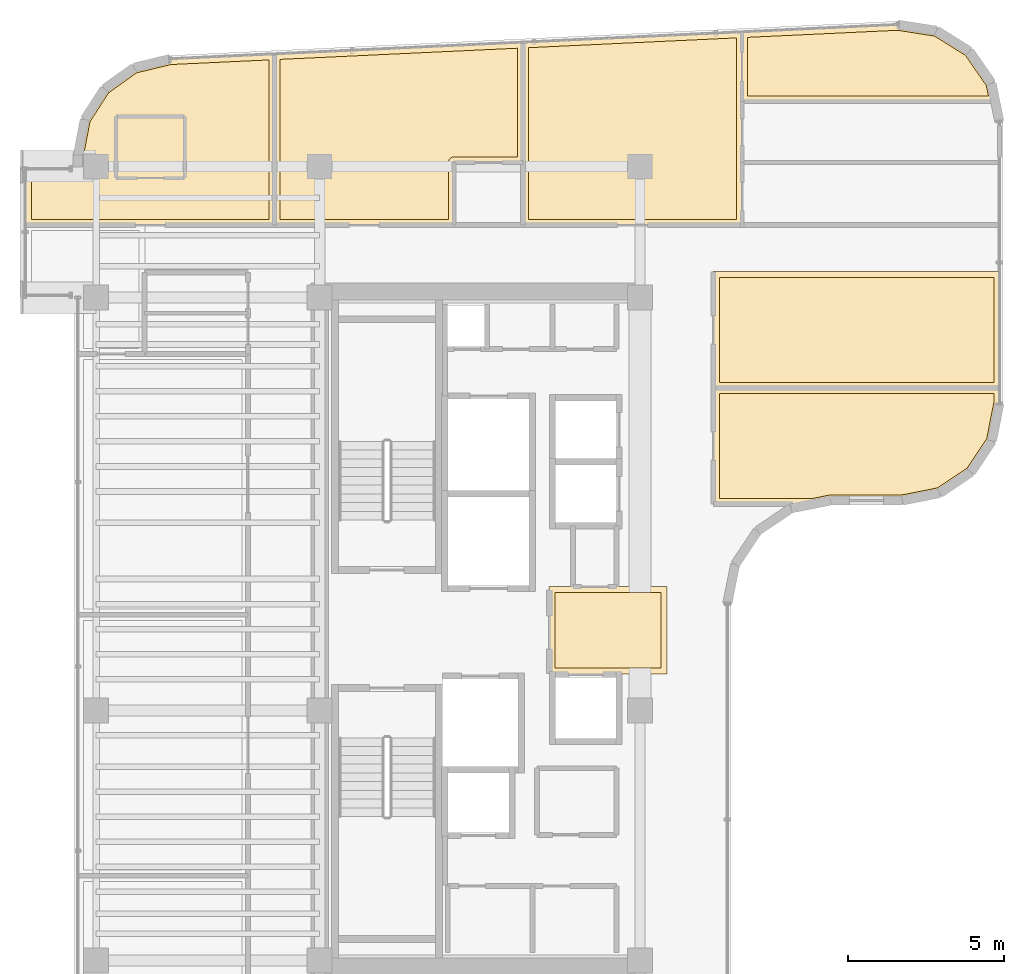
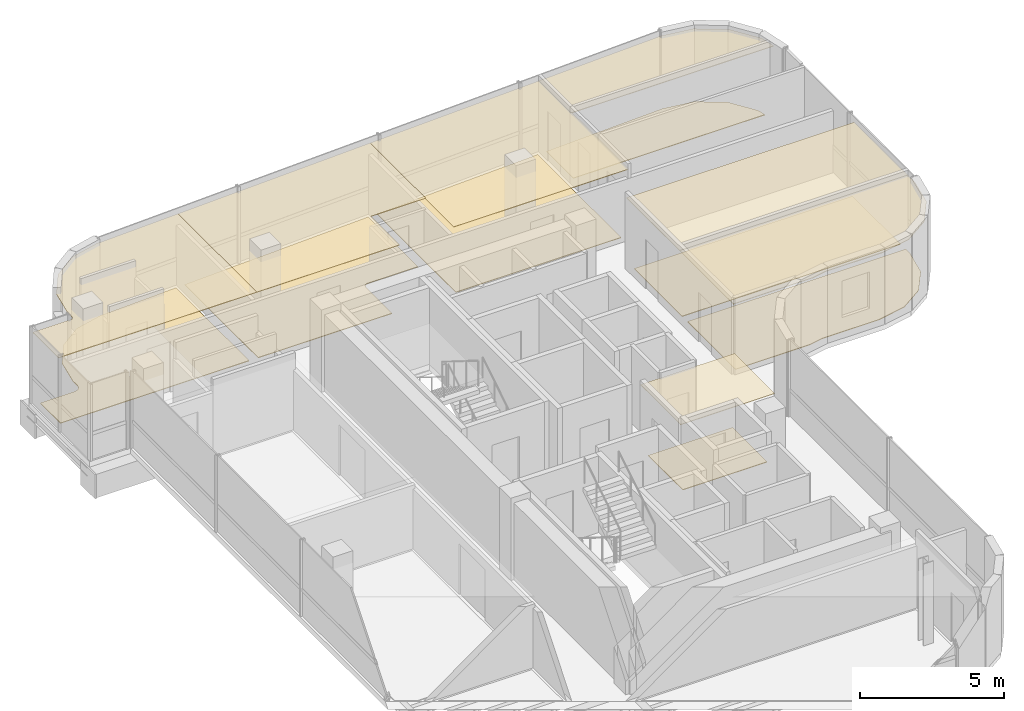
# One storey, part 21 of 21: 14 coverings.
"""IFC4 building model written with IfcOpenShell, lengths in metres."""

from ifc_helpers import new_model, si_unit, direction, frame, origin, place, context, subcontext, project, spatial, polyline, outline, extrude, material, layer, layer_set, type_object, element, save


model = new_model("IFC4")

# Units and contexts
model_context = context("Model", 3, precision=1e-05, world=origin(), true_north=direction((0.0, 1.0)))
body_context = subcontext(model_context, "Body", "Model", "MODEL_VIEW")
ifc_project = project(units=[si_unit("LENGTHUNIT", "METRE"), si_unit("AREAUNIT", "SQUARE_METRE"), si_unit("VOLUMEUNIT", "CUBIC_METRE"), si_unit("PLANEANGLEUNIT", "RADIAN"), si_unit("MASSUNIT", "GRAM", prefix="KILO")], contexts=[model_context])

# Site, building, storey
site_placement = place(None, origin())
site = spatial("IfcSite", under=ifc_project, at=site_placement, CompositionType="ELEMENT")
building_placement = place(site_placement, origin())
building = spatial("IfcBuilding", under=site, at=building_placement, Name="Valdorenza Pilgrim Sanctuary Tower", CompositionType="ELEMENT")
storey_placement = place(building_placement, frame((0.0, 0.0, 251.0)))
storey = spatial("IfcBuildingStorey", under=building, at=storey_placement, Name="L65", CompositionType="ELEMENT", Elevation=251.0)

# Coverings
ifc_material_1 = material(Name="Micro-perforated acoustic mineral ceiling tile", Category="gypsum")
ifc_layer_1 = layer(ifc_material_1, 0.02490234375, Name="Micro-perforated acoustic mineral ceiling tile")
ifc_layer_set_1 = layer_set([ifc_layer_1], Name="Micro-perforated acoustic mineral ceiling tile")
covering_type_1 = type_object("IfcCoveringType", Name="COV-CLG-ACU", PredefinedType="CEILING", material=ifc_layer_set_1)
covering_1_placement = place(storey_placement, frame((0.0, 0.0, 2.9599609375)))
element("IfcCovering", 1, at=covering_1_placement, inside=storey, type_object=covering_type_1, Name="L65 Core A Passenger Lift Lobby Acoustic Ceiling", PredefinedType="CEILING", context=body_context, shape_type="SweptSolid", body=[
    extrude(outline(polyline([(-15.31494140625, 1.35009765625), (-15.31494140625, 1.3515625), (-15.314697265625, 1.352783203125), (-15.314453125, 1.3544921875), (-15.31396484375, 1.355712890625), (-15.313232421875, 1.357177734375), (-15.3125, 1.3583984375), (-15.3115234375, 1.359619140625), (-15.310546875, 1.360595703125), (-15.3095703125, 1.361572265625), (-15.308349609375, 1.362548828125), (-15.30712890625, 1.36328125), (-15.3056640625, 1.364013671875), (-15.304443359375, 1.364501953125), (-15.302978515625, 1.36474609375), (-15.301513671875, 1.364990234375), (-15.300048828125, 1.364990234375), (-11.550048828125, 1.364990234375), (-11.548583984375, 1.364990234375), (-11.547119140625, 1.36474609375), (-11.545654296875, 1.364501953125), (-11.544189453125, 1.364013671875), (-11.54296875, 1.36328125), (-11.541748046875, 1.362548828125), (-11.54052734375, 1.361572265625), (-11.539306640625, 1.360595703125), (-11.538330078125, 1.359619140625), (-11.53759765625, 1.3583984375), (-11.536865234375, 1.357177734375), (-11.5361328125, 1.355712890625), (-11.53564453125, 1.3544921875), (-11.535400390625, 1.352783203125), (-11.53515625, 1.3515625), (-11.534912109375, 1.35009765625), (-11.534912109375, -1.419921875), (-11.53515625, -1.42138671875), (-11.535400390625, -1.4228515625), (-11.53564453125, -1.42431640625), (-11.5361328125, -1.42578125), (-11.536865234375, -1.427001953125), (-11.53759765625, -1.42822265625), (-11.538330078125, -1.429443359375), (-11.539306640625, -1.4306640625), (-11.54052734375, -1.431640625), (-11.541748046875, -1.4326171875), (-11.54296875, -1.43310546875), (-11.544189453125, -1.433837890625), (-11.545654296875, -1.434326171875), (-11.547119140625, -1.434814453125), (-11.548583984375, -1.434814453125), (-11.550048828125, -1.43505859375), (-15.298095703125, -1.43505859375), (-15.299560546875, -1.434814453125), (-15.30078125, -1.434814453125), (-15.302490234375, -1.434326171875), (-15.3037109375, -1.433837890625), (-15.30517578125, -1.43310546875), (-15.306396484375, -1.4326171875), (-15.3076171875, -1.431640625), (-15.30859375, -1.4306640625), (-15.3095703125, -1.429443359375), (-15.310546875, -1.42822265625), (-15.311279296875, -1.427001953125), (-15.31201171875, -1.42578125), (-15.3125, -1.42431640625), (-15.312744140625, -1.4228515625), (-15.31298828125, -1.42138671875), (-15.31298828125, -1.419921875), (-15.31298828125, 1.244384765625), (-15.31298828125, 1.24462890625), (-15.313720703125, 1.24609375), (-15.314208984375, 1.24755859375), (-15.314697265625, 1.2490234375), (-15.31494140625, 1.25048828125), (-15.31494140625, 1.251953125), (-15.31494140625, 1.35009765625)])), origin(), (0.0, 0.0, 1.0), 0.025146484375),
])
covering_2_placement = place(storey_placement, frame((0.0, 0.0, 2.9599609375)))
element("IfcCovering", 2, at=covering_2_placement, inside=storey, type_object=covering_type_1, Name="L65 North Sanctuary Guest Room L65-N1A Acoustic Ceiling", PredefinedType="CEILING", context=body_context, shape_type="SweptSolid", body=[
    extrude(outline(polyline([(-30.50048828125, 14.705078125), (-30.49072265625, 14.70556640625), (-30.4814453125, 14.706787109375), (-30.472412109375, 14.708984375), (-30.463623046875, 14.712158203125), (-30.455078125, 14.71630859375), (-30.447265625, 14.720947265625), (-30.439697265625, 14.7265625), (-30.432861328125, 14.73291015625), (-30.426513671875, 14.73974609375), (-30.4208984375, 14.747314453125), (-30.416259765625, 14.755126953125), (-30.412109375, 14.763671875), (-30.4091796875, 14.7724609375), (-30.40673828125, 14.781494140625), (-30.405517578125, 14.790771484375), (-30.405029296875, 14.80029296875), (-30.405029296875, 15.13671875), (-30.40478515625, 15.13818359375), (-30.40478515625, 15.1396484375), (-30.181396484375, 16.298095703125), (-30.180908203125, 16.299560546875), (-30.180419921875, 16.30078125), (-30.179931640625, 16.30224609375), (-30.17919921875, 16.303466796875), (-29.547119140625, 17.286865234375), (-29.546142578125, 17.2880859375), (-29.545166015625, 17.2890625), (-29.544189453125, 17.2900390625), (-29.54296875, 17.291015625), (-28.59033203125, 17.968994140625), (-28.589111328125, 17.9697265625), (-28.587890625, 17.97021484375), (-28.586669921875, 17.970947265625), (-28.585205078125, 17.97119140625), (-27.438720703125, 18.248779296875), (-27.437255859375, 18.249267578125), (-27.435791015625, 18.249267578125), (-24.095703125, 18.40673828125), (-24.09423828125, 18.40673828125), (-24.0927734375, 18.406494140625), (-24.09130859375, 18.40625), (-24.08984375, 18.40576171875), (-24.08837890625, 18.4052734375), (-24.0869140625, 18.404541015625), (-24.085693359375, 18.403564453125), (-24.084716796875, 18.402587890625), (-24.08349609375, 18.401611328125), (-24.082763671875, 18.400390625), (-24.081787109375, 18.39892578125), (-24.081298828125, 18.397705078125), (-24.080810546875, 18.396240234375), (-24.080322265625, 18.394775390625), (-24.080078125, 18.393310546875), (-24.080078125, 18.391845703125), (-24.080078125, 12.919921875), (-24.080078125, 12.91845703125), (-24.080322265625, 12.9169921875), (-24.08056640625, 12.91552734375), (-24.0810546875, 12.914306640625), (-24.081787109375, 12.912841796875), (-24.08251953125, 12.91162109375), (-24.08349609375, 12.910400390625), (-24.08447265625, 12.909423828125), (-24.08544921875, 12.908447265625), (-24.086669921875, 12.907470703125), (-24.087890625, 12.90673828125), (-24.08935546875, 12.906005859375), (-24.090576171875, 12.905517578125), (-24.092041015625, 12.9052734375), (-24.093505859375, 12.905029296875), (-24.094970703125, 12.905029296875), (-28.248046875, 12.905029296875), (-28.24951171875, 12.905029296875), (-28.250732421875, 12.9052734375), (-28.252197265625, 12.905517578125), (-28.253662109375, 12.906005859375), (-28.2548828125, 12.90673828125), (-28.25537109375, 12.906982421875), (-32.0400390625, 12.906982421875), (-32.04150390625, 12.906982421875), (-32.04296875, 12.9072265625), (-32.04443359375, 12.90771484375), (-32.045654296875, 12.908203125), (-32.047119140625, 12.90869140625), (-32.04833984375, 12.909423828125), (-32.049560546875, 12.910400390625), (-32.050537109375, 12.911376953125), (-32.051513671875, 12.91259765625), (-32.052490234375, 12.913818359375), (-32.05322265625, 12.914794921875), (-32.053955078125, 12.916259765625), (-32.054443359375, 12.91748046875), (-32.0546875, 12.919189453125), (-32.054931640625, 12.92041015625), (-32.054931640625, 12.922119140625), (-32.054931640625, 14.68994140625), (-32.054931640625, 14.69140625), (-32.0546875, 14.69287109375), (-32.054443359375, 14.6943359375), (-32.053955078125, 14.69580078125), (-32.05322265625, 14.697021484375), (-32.052490234375, 14.6982421875), (-32.051513671875, 14.699462890625), (-32.050537109375, 14.70068359375), (-32.049560546875, 14.70166015625), (-32.04833984375, 14.702392578125), (-32.047119140625, 14.703125), (-32.045654296875, 14.703857421875), (-32.04443359375, 14.704345703125), (-32.04296875, 14.70458984375), (-32.04150390625, 14.704833984375), (-32.0400390625, 14.705078125), (-30.50048828125, 14.705078125)])), origin(), (0.0, 0.0, 1.0), 0.025146484375),
])
covering_3_placement = place(storey_placement, frame((0.0, 0.0, 2.9599609375)))
element("IfcCovering", 3, at=covering_3_placement, inside=storey, type_object=covering_type_1, Name="L65 North Sanctuary Guest Room L65-N1B Acoustic Ceiling", PredefinedType="CEILING", context=body_context, shape_type="SweptSolid", body=[
    extrude(outline(polyline([(-24.10791015625, 18.391845703125), (-24.10791015625, 18.392578125), (-24.10791015625, 18.39404296875), (-24.107666015625, 18.3955078125), (-24.107177734375, 18.39697265625), (-24.106689453125, 18.398193359375), (-24.10595703125, 18.399658203125), (-24.10498046875, 18.40087890625), (-24.10400390625, 18.40185546875), (-24.10302734375, 18.403076171875), (-24.101806640625, 18.40380859375), (-24.1005859375, 18.40478515625), (-24.099365234375, 18.405517578125), (-24.097900390625, 18.406005859375), (-24.0966796875, 18.406494140625), (-24.09521484375, 18.40673828125), (-24.09375, 18.40673828125), (-16.15087890625, 18.78125), (-16.150146484375, 18.78125), (-16.14990234375, 18.78125), (-16.1484375, 18.78125), (-16.147216796875, 18.781005859375), (-16.1455078125, 18.78076171875), (-16.144287109375, 18.7802734375), (-16.142822265625, 18.779541015625), (-16.1416015625, 18.77880859375), (-16.140380859375, 18.77783203125), (-16.139404296875, 18.77685546875), (-16.138427734375, 18.77587890625), (-16.137451171875, 18.774658203125), (-16.13671875, 18.7734375), (-16.135986328125, 18.77197265625), (-16.135498046875, 18.770751953125), (-16.13525390625, 18.769287109375), (-16.135009765625, 18.767822265625), (-16.135009765625, 18.766357421875), (-16.135009765625, 14.922119140625), (-16.135009765625, 14.92041015625), (-16.13525390625, 14.919189453125), (-16.135498046875, 14.91748046875), (-16.135986328125, 14.916259765625), (-16.13671875, 14.914794921875), (-16.137451171875, 14.913818359375), (-16.138427734375, 14.91259765625), (-16.139404296875, 14.911376953125), (-16.140380859375, 14.910400390625), (-16.1416015625, 14.909423828125), (-16.142822265625, 14.90869140625), (-16.144287109375, 14.908203125), (-16.1455078125, 14.90771484375), (-16.147216796875, 14.9072265625), (-16.1484375, 14.906982421875), (-16.14990234375, 14.906982421875), (-18.3369140625, 14.906982421875), (-18.3369140625, 12.919921875), (-18.337158203125, 12.91845703125), (-18.33740234375, 12.9169921875), (-18.337646484375, 12.91552734375), (-18.338134765625, 12.914306640625), (-18.3388671875, 12.912841796875), (-18.339599609375, 12.91162109375), (-18.34033203125, 12.910400390625), (-18.34130859375, 12.909423828125), (-18.342529296875, 12.908447265625), (-18.34375, 12.907470703125), (-18.344970703125, 12.90673828125), (-18.34619140625, 12.906005859375), (-18.34765625, 12.905517578125), (-18.34912109375, 12.9052734375), (-18.3505859375, 12.905029296875), (-18.35205078125, 12.905029296875), (-24.093017578125, 12.905029296875), (-24.094482421875, 12.905029296875), (-24.095947265625, 12.9052734375), (-24.097412109375, 12.905517578125), (-24.0986328125, 12.906005859375), (-24.10009765625, 12.90673828125), (-24.101318359375, 12.907470703125), (-24.1025390625, 12.908447265625), (-24.103515625, 12.909423828125), (-24.1044921875, 12.910400390625), (-24.10546875, 12.91162109375), (-24.106201171875, 12.912841796875), (-24.10693359375, 12.914306640625), (-24.107421875, 12.91552734375), (-24.107666015625, 12.9169921875), (-24.10791015625, 12.91845703125), (-24.10791015625, 12.919921875), (-24.10791015625, 18.391845703125), (-24.10791015625, 18.391845703125)])), origin(), (0.0, 0.0, 1.0), 0.025146484375),
])
covering_4_placement = place(storey_placement, frame((0.0, 0.0, 2.9599609375)))
element("IfcCovering", 4, at=covering_4_placement, inside=storey, type_object=covering_type_1, Name="L65 North Sanctuary Apartment L65-N2 Bedroom Acoustic Ceiling", PredefinedType="CEILING", context=body_context, shape_type="SweptSolid", body=[
    extrude(outline(polyline([(-9.154541015625, 19.0966796875), (-9.154541015625, 19.09814453125), (-9.154296875, 19.099609375), (-9.154052734375, 19.10107421875), (-9.153564453125, 19.102294921875), (-9.15283203125, 19.103759765625), (-9.152099609375, 19.10498046875), (-9.1513671875, 19.106201171875), (-9.150390625, 19.107177734375), (-9.1494140625, 19.108154296875), (-9.148193359375, 19.10888671875), (-9.147216796875, 19.10986328125), (-9.145751953125, 19.1103515625), (-9.14453125, 19.111083984375), (-9.14306640625, 19.111328125), (-9.1416015625, 19.111572265625), (-9.140380859375, 19.11181640625), (-4.157470703125, 19.3466796875), (-4.156005859375, 19.3466796875), (-4.154296875, 19.346435546875), (-2.91748046875, 19.153076171875), (-2.916015625, 19.152587890625), (-2.91455078125, 19.15234375), (-2.9130859375, 19.151611328125), (-2.911865234375, 19.15087890625), (-1.860595703125, 18.492431640625), (-1.859619140625, 18.49169921875), (-1.8583984375, 18.490478515625), (-1.857421875, 18.489501953125), (-1.8564453125, 18.48828125), (-1.149169921875, 17.46923828125), (-1.148193359375, 17.468017578125), (-1.147705078125, 17.466552734375), (-1.147216796875, 17.465087890625), (-1.146728515625, 17.463623046875), (-1.025634765625, 16.873046875), (-1.025390625, 16.87158203125), (-1.025390625, 16.8701171875), (-1.025390625, 16.86865234375), (-1.025634765625, 16.8671875), (-1.02587890625, 16.86572265625), (-1.0263671875, 16.8642578125), (-1.027099609375, 16.863037109375), (-1.02783203125, 16.86181640625), (-1.02880859375, 16.860595703125), (-1.02978515625, 16.859375), (-1.03076171875, 16.8583984375), (-1.031982421875, 16.857421875), (-1.033203125, 16.856689453125), (-1.03466796875, 16.856201171875), (-1.035888671875, 16.855712890625), (-1.037353515625, 16.855224609375), (-1.038818359375, 16.85498046875), (-1.040283203125, 16.85498046875), (-9.1396484375, 16.85498046875), (-9.14111328125, 16.85498046875), (-9.142578125, 16.855224609375), (-9.14404296875, 16.855712890625), (-9.145263671875, 16.856201171875), (-9.146728515625, 16.856689453125), (-9.14794921875, 16.857421875), (-9.149169921875, 16.8583984375), (-9.150146484375, 16.859375), (-9.151123046875, 16.860595703125), (-9.152099609375, 16.86181640625), (-9.15283203125, 16.86279296875), (-9.153564453125, 16.8642578125), (-9.154052734375, 16.865478515625), (-9.154296875, 16.8671875), (-9.154541015625, 16.868408203125), (-9.154541015625, 16.8701171875), (-9.154541015625, 19.0966796875)])), origin(), (0.0, 0.0, 1.0), 0.025146484375),
])
covering_5_placement = place(storey_placement, frame((0.0, 0.0, 2.9599609375)))
element("IfcCovering", 5, at=covering_5_placement, inside=storey, type_object=covering_type_1, Name="L65 North Sanctuary Apartment L65-N2 Living Room Acoustic Ceiling", PredefinedType="CEILING", context=body_context, shape_type="SweptSolid", body=[
    extrude(outline(polyline([(-16.1630859375, 14.918212890625), (-16.1630859375, 14.9189453125), (-16.163330078125, 14.92041015625), (-16.1630859375, 14.922119140625), (-16.1630859375, 14.923583984375), (-16.1630859375, 14.923828125), (-16.1630859375, 18.766357421875), (-16.1630859375, 18.766357421875), (-16.1630859375, 18.76708984375), (-16.162841796875, 18.7685546875), (-16.16259765625, 18.77001953125), (-16.162109375, 18.771484375), (-16.16162109375, 18.772705078125), (-16.160888671875, 18.774169921875), (-16.159912109375, 18.775390625), (-16.1591796875, 18.776611328125), (-16.158203125, 18.777587890625), (-16.156982421875, 18.778564453125), (-16.15576171875, 18.779296875), (-16.154296875, 18.780029296875), (-16.153076171875, 18.780517578125), (-16.151611328125, 18.781005859375), (-16.150146484375, 18.78125), (-16.148681640625, 18.781494140625), (-9.142333984375, 19.11181640625), (-9.140869140625, 19.11181640625), (-9.139404296875, 19.111572265625), (-9.1376953125, 19.111083984375), (-9.136474609375, 19.11083984375), (-9.135009765625, 19.110107421875), (-9.133544921875, 19.109375), (-9.13232421875, 19.1083984375), (-9.131103515625, 19.107666015625), (-9.130126953125, 19.1064453125), (-9.12939453125, 19.105224609375), (-9.12841796875, 19.10400390625), (-9.127685546875, 19.1025390625), (-9.127197265625, 19.101318359375), (-9.126953125, 19.099609375), (-9.126708984375, 19.09814453125), (-9.126708984375, 19.0966796875), (-9.126708984375, 16.87548828125), (-9.126220703125, 16.875), (-9.125732421875, 16.87353515625), (-9.125244140625, 16.872314453125), (-9.125, 16.870849609375), (-9.124755859375, 16.869384765625), (-9.12451171875, 16.867919921875), (-9.12451171875, 12.919921875), (-9.124755859375, 12.91845703125), (-9.125, 12.9169921875), (-9.125244140625, 12.91552734375), (-9.125732421875, 12.914306640625), (-9.12646484375, 12.912841796875), (-9.127197265625, 12.91162109375), (-9.1279296875, 12.910400390625), (-9.12890625, 12.909423828125), (-9.130126953125, 12.908447265625), (-9.13134765625, 12.907470703125), (-9.132568359375, 12.90673828125), (-9.1337890625, 12.906005859375), (-9.13525390625, 12.905517578125), (-9.13671875, 12.9052734375), (-9.13818359375, 12.905029296875), (-9.1396484375, 12.905029296875), (-16.14794921875, 12.905029296875), (-16.1494140625, 12.905029296875), (-16.15087890625, 12.9052734375), (-16.15234375, 12.905517578125), (-16.15380859375, 12.906005859375), (-16.155029296875, 12.90673828125), (-16.15625, 12.907470703125), (-16.157470703125, 12.908447265625), (-16.15869140625, 12.909423828125), (-16.15966796875, 12.910400390625), (-16.160400390625, 12.91162109375), (-16.1611328125, 12.912841796875), (-16.161865234375, 12.914306640625), (-16.162353515625, 12.91552734375), (-16.16259765625, 12.9169921875), (-16.162841796875, 12.91845703125), (-16.1630859375, 12.919921875), (-16.1630859375, 14.918212890625)])), origin(), (0.0, 0.0, 1.0), 0.025146484375),
])
covering_6_placement = place(storey_placement, frame((0.0, 0.0, 2.9599609375)))
element("IfcCovering", 6, at=covering_6_placement, inside=storey, type_object=covering_type_1, Name="L65 Sacred Art Exhibition Gallery L65-E1 Acoustic Ceiling", PredefinedType="CEILING", context=body_context, shape_type="SweptSolid", body=[
    extrude(outline(polyline([(-10.06494140625, 7.7099609375), (-10.06494140625, 7.71142578125), (-10.064697265625, 7.712890625), (-10.064453125, 7.71435546875), (-10.06396484375, 7.7158203125), (-10.063232421875, 7.717041015625), (-10.0625, 7.71826171875), (-10.0615234375, 7.719482421875), (-10.060546875, 7.720703125), (-10.0595703125, 7.7216796875), (-10.058349609375, 7.722412109375), (-10.05712890625, 7.72314453125), (-10.0556640625, 7.723876953125), (-10.054443359375, 7.724365234375), (-10.052978515625, 7.724609375), (-10.051513671875, 7.724853515625), (-10.050048828125, 7.72509765625), (-0.909912109375, 7.72509765625), (-0.908447265625, 7.724853515625), (-0.906982421875, 7.724609375), (-0.905517578125, 7.724365234375), (-0.904296875, 7.723876953125), (-0.90283203125, 7.72314453125), (-0.901611328125, 7.722412109375), (-0.900390625, 7.7216796875), (-0.8994140625, 7.720703125), (-0.8984375, 7.719482421875), (-0.8974609375, 7.71826171875), (-0.896728515625, 7.717041015625), (-0.89599609375, 7.7158203125), (-0.8955078125, 7.71435546875), (-0.895263671875, 7.712890625), (-0.89501953125, 7.71142578125), (-0.89501953125, 7.7099609375), (-0.89501953125, 7.210693359375), (-0.89501953125, 7.20947265625), (-0.895263671875, 7.2080078125), (-1.132568359375, 6.015380859375), (-1.1328125, 6.013916015625), (-1.13330078125, 6.0126953125), (-1.134033203125, 6.01123046875), (-1.134765625, 6.010009765625), (-1.80419921875, 5.00830078125), (-1.804931640625, 5.007080078125), (-1.805908203125, 5.006103515625), (-1.80712890625, 5.0048828125), (-1.808349609375, 5.004150390625), (-2.81005859375, 4.334716796875), (-2.811279296875, 4.333984375), (-2.8125, 4.33349609375), (-2.81396484375, 4.3330078125), (-2.8154296875, 4.33251953125), (-4.0078125, 4.09521484375), (-4.009521484375, 4.09521484375), (-4.0107421875, 4.094970703125), (-6.299560546875, 4.094970703125), (-6.309326171875, 4.094482421875), (-6.31884765625, 4.093017578125), (-6.86083984375, 3.9853515625), (-6.8623046875, 3.985107421875), (-6.86376953125, 3.985107421875), (-10.050048828125, 3.985107421875), (-10.051513671875, 3.985107421875), (-10.052978515625, 3.9853515625), (-10.054443359375, 3.985595703125), (-10.0556640625, 3.986083984375), (-10.05712890625, 3.98681640625), (-10.058349609375, 3.987548828125), (-10.0595703125, 3.98828125), (-10.060546875, 3.989501953125), (-10.0615234375, 3.990478515625), (-10.0625, 3.99169921875), (-10.063232421875, 3.992919921875), (-10.06396484375, 3.994384765625), (-10.064453125, 3.99560546875), (-10.064697265625, 3.9970703125), (-10.06494140625, 3.99853515625), (-10.06494140625, 4.0), (-10.06494140625, 7.7099609375)])), origin(), (0.0, 0.0, 1.0), 0.025146484375),
])
covering_7_placement = place(storey_placement, frame((0.0, 0.0, 2.9599609375)))
element("IfcCovering", 7, at=covering_7_placement, inside=storey, type_object=covering_type_1, Name="L65 Sacred Art Exhibition Gallery L65-E2 Acoustic Ceiling", PredefinedType="CEILING", context=body_context, shape_type="SweptSolid", body=[
    extrude(outline(polyline([(-10.06494140625, 11.419921875), (-10.06494140625, 11.42138671875), (-10.064697265625, 11.4228515625), (-10.064453125, 11.42431640625), (-10.06396484375, 11.42578125), (-10.063232421875, 11.427001953125), (-10.0625, 11.42822265625), (-10.0615234375, 11.429443359375), (-10.060546875, 11.4306640625), (-10.0595703125, 11.431640625), (-10.058349609375, 11.4326171875), (-10.05712890625, 11.43310546875), (-10.0556640625, 11.433837890625), (-10.054443359375, 11.434326171875), (-10.052978515625, 11.434814453125), (-10.051513671875, 11.434814453125), (-10.050048828125, 11.43505859375), (-0.909912109375, 11.43505859375), (-0.908447265625, 11.434814453125), (-0.906982421875, 11.434814453125), (-0.905517578125, 11.434326171875), (-0.904296875, 11.433837890625), (-0.90283203125, 11.43310546875), (-0.901611328125, 11.4326171875), (-0.900390625, 11.431640625), (-0.8994140625, 11.4306640625), (-0.8984375, 11.429443359375), (-0.8974609375, 11.42822265625), (-0.896728515625, 11.427001953125), (-0.89599609375, 11.42578125), (-0.8955078125, 11.42431640625), (-0.895263671875, 11.4228515625), (-0.89501953125, 11.42138671875), (-0.89501953125, 11.419921875), (-0.89501953125, 7.7119140625), (-0.89501953125, 7.71044921875), (-0.895263671875, 7.708984375), (-0.8955078125, 7.70751953125), (-0.89599609375, 7.706298828125), (-0.896728515625, 7.704833984375), (-0.8974609375, 7.70361328125), (-0.8984375, 7.702392578125), (-0.8994140625, 7.701416015625), (-0.900390625, 7.700439453125), (-0.901611328125, 7.699462890625), (-0.90283203125, 7.69873046875), (-0.904296875, 7.697998046875), (-0.905517578125, 7.697509765625), (-0.906982421875, 7.697265625), (-0.908447265625, 7.697021484375), (-0.909912109375, 7.697021484375), (-10.050048828125, 7.697021484375), (-10.051513671875, 7.697021484375), (-10.052978515625, 7.697265625), (-10.054443359375, 7.697509765625), (-10.0556640625, 7.697998046875), (-10.05712890625, 7.69873046875), (-10.058349609375, 7.699462890625), (-10.0595703125, 7.700439453125), (-10.060546875, 7.701416015625), (-10.0615234375, 7.702392578125), (-10.0625, 7.70361328125), (-10.063232421875, 7.704833984375), (-10.06396484375, 7.706298828125), (-10.064453125, 7.70751953125), (-10.064697265625, 7.708984375), (-10.06494140625, 7.71044921875), (-10.06494140625, 7.7119140625), (-10.06494140625, 11.419921875)])), origin(), (0.0, 0.0, 1.0), 0.025146484375),
])
ifc_material_2 = material(Name="Engineered European oak timber flooring", Category="wood")
ifc_layer_2 = layer(ifc_material_2, 0.02197265625, Name="Engineered European oak timber flooring")
ifc_layer_set_2 = layer_set([ifc_layer_2], Name="Engineered European oak timber flooring")
covering_type_2 = type_object("IfcCoveringType", Name="COV-FLR-OAK", PredefinedType="FLOORING", material=ifc_layer_set_2)
covering_8_placement = place(storey_placement, origin())
element("IfcCovering", 8, at=covering_8_placement, inside=storey, type_object=covering_type_2, Name="L65 North Sanctuary Guest Room L65-N1A Flooring", PredefinedType="FLOORING", context=body_context, shape_type="SweptSolid", body=[
    extrude(outline(polyline([(-30.5, 14.510009765625), (-30.4912109375, 14.51025390625), (-30.48046875, 14.5107421875), (-30.462890625, 14.512451171875), (-30.4521484375, 14.51416015625), (-30.434814453125, 14.517578125), (-30.42431640625, 14.52001953125), (-30.407470703125, 14.525390625), (-30.397216796875, 14.52880859375), (-30.380859375, 14.53564453125), (-30.37109375, 14.540283203125), (-30.355712890625, 14.548583984375), (-30.34619140625, 14.55419921875), (-30.331787109375, 14.56396484375), (-30.322998046875, 14.5703125), (-30.309326171875, 14.58154296875), (-30.30126953125, 14.5888671875), (-30.288818359375, 14.601318359375), (-30.281494140625, 14.609375), (-30.2705078125, 14.623046875), (-30.263916015625, 14.631591796875), (-30.254150390625, 14.646240234375), (-30.24853515625, 14.655517578125), (-30.240234375, 14.671142578125), (-30.235595703125, 14.680908203125), (-30.22900390625, 14.697265625), (-30.225341796875, 14.70751953125), (-30.22021484375, 14.724365234375), (-30.217529296875, 14.73486328125), (-30.214111328125, 14.752197265625), (-30.21240234375, 14.7626953125), (-30.210693359375, 14.780517578125), (-30.210205078125, 14.791259765625), (-30.2099609375, 14.800048828125), (-30.2099609375, 15.11962890625), (-29.996337890625, 16.227294921875), (-29.401611328125, 17.152099609375), (-28.505615234375, 17.789794921875), (-27.409423828125, 18.055419921875), (-24.27490234375, 18.203125), (-24.27490234375, 13.10009765625), (-28.22314453125, 13.10009765625), (-28.22314453125, 13.10009765625), (-28.223388671875, 13.10009765625), (-28.240966796875, 13.101806640625), (-28.2412109375, 13.101806640625), (-28.25, 13.10205078125), (-31.860107421875, 13.10205078125), (-31.860107421875, 14.510009765625), (-30.5, 14.510009765625)])), origin(), (0.0, 0.0, 1.0), 0.02490234375),
])
covering_9_placement = place(storey_placement, origin())
element("IfcCovering", 9, at=covering_9_placement, inside=storey, type_object=covering_type_2, Name="L65 North Sanctuary Guest Room L65-N1B Flooring", PredefinedType="FLOORING", context=body_context, shape_type="SweptSolid", body=[
    extrude(outline(polyline([(-16.330078125, 18.57763671875), (-16.330078125, 15.10205078125), (-18.35009765625, 15.10205078125), (-18.35888671875, 15.101806640625), (-18.35888671875, 15.101806640625), (-18.376708984375, 15.10009765625), (-18.376708984375, 15.10009765625), (-18.39404296875, 15.0966796875), (-18.394287109375, 15.096435546875), (-18.4111328125, 15.09130859375), (-18.411376953125, 15.09130859375), (-18.427734375, 15.084716796875), (-18.427978515625, 15.08447265625), (-18.443603515625, 15.076171875), (-18.443603515625, 15.076171875), (-18.458251953125, 15.066162109375), (-18.45849609375, 15.066162109375), (-18.47216796875, 15.054931640625), (-18.472412109375, 15.0546875), (-18.48486328125, 15.042236328125), (-18.48486328125, 15.0419921875), (-18.49609375, 15.028564453125), (-18.49609375, 15.0283203125), (-18.506103515625, 15.013671875), (-18.506103515625, 15.013427734375), (-18.514404296875, 14.997802734375), (-18.5146484375, 14.997802734375), (-18.521240234375, 14.9814453125), (-18.521484375, 14.981201171875), (-18.526611328125, 14.96435546875), (-18.526611328125, 14.964111328125), (-18.530029296875, 14.94677734375), (-18.530029296875, 14.946533203125), (-18.53173828125, 14.928955078125), (-18.53173828125, 14.9287109375), (-18.531982421875, 14.919921875), (-18.531982421875, 13.10009765625), (-23.9130859375, 13.10009765625), (-23.9130859375, 18.22021484375), (-16.330078125, 18.57763671875)])), origin(), (0.0, 0.0, 1.0), 0.02490234375),
])
covering_10_placement = place(storey_placement, origin())
element("IfcCovering", 10, at=covering_10_placement, inside=storey, type_object=covering_type_2, Name="L65 North Sanctuary Apartment L65-N2 Bedroom Flooring", PredefinedType="FLOORING", context=body_context, shape_type="SweptSolid", body=[
    extrude(outline(polyline([(-8.959716796875, 18.925048828125), (-4.16650390625, 19.15087890625), (-2.984130859375, 18.966064453125), (-1.99560546875, 18.3466796875), (-1.330322265625, 17.388427734375), (-1.260986328125, 17.050048828125), (-8.959716796875, 17.050048828125), (-8.959716796875, 18.925048828125)])), origin(), (0.0, 0.0, 1.0), 0.02490234375),
])
covering_11_placement = place(storey_placement, origin())
element("IfcCovering", 11, at=covering_11_placement, inside=storey, type_object=covering_type_2, Name="L65 North Sanctuary Apartment L65-N2 Living Room Flooring", PredefinedType="FLOORING", context=body_context, shape_type="SweptSolid", body=[
    extrude(outline(polyline([(-15.968017578125, 14.921630859375), (-15.968017578125, 14.922119140625), (-15.968017578125, 18.594482421875), (-9.321533203125, 18.907958984375), (-9.321533203125, 16.8701171875), (-9.319580078125, 13.10009765625), (-15.968017578125, 13.10009765625), (-15.968017578125, 14.919921875), (-15.968017578125, 14.9208984375), (-15.968017578125, 14.921630859375)])), origin(), (0.0, 0.0, 1.0), 0.02490234375),
])
ifc_material_3 = material(Name="Honed travertine stone flooring", Category="masonry")
ifc_layer_3 = layer(ifc_material_3, 0.030029296875, Name="Honed travertine stone flooring")
ifc_layer_set_3 = layer_set([ifc_layer_3], Name="Honed travertine stone flooring")
covering_type_3 = type_object("IfcCoveringType", Name="COV-FLR-TRV", PredefinedType="FLOORING", material=ifc_layer_set_3)
covering_12_placement = place(storey_placement, origin())
element("IfcCovering", 12, at=covering_12_placement, inside=storey, type_object=covering_type_3, Name="L65 Core A Passenger Lift Lobby Flooring", PredefinedType="FLOORING", context=body_context, shape_type="SweptSolid", body=[
    extrude(outline(polyline([(-15.117919921875, 1.169921875), (-11.72998046875, 1.169921875), (-11.72998046875, -1.239990234375), (-15.117919921875, -1.239990234375), (-15.117919921875, 1.169921875)])), origin(), (0.0, 0.0, 1.0), 0.02490234375),
])
covering_13_placement = place(storey_placement, origin())
element("IfcCovering", 13, at=covering_13_placement, inside=storey, type_object=covering_type_3, Name="L65 Sacred Art Exhibition Gallery L65-E1 Flooring", PredefinedType="FLOORING", context=body_context, shape_type="SweptSolid", body=[
    extrude(outline(polyline([(-9.8701171875, 7.530029296875), (-1.090087890625, 7.530029296875), (-1.090087890625, 7.228515625), (-1.31689453125, 6.088623046875), (-1.9462890625, 5.146484375), (-2.888671875, 4.516845703125), (-4.028564453125, 4.2900390625), (-6.300048828125, 4.2900390625), (-6.308837890625, 4.289794921875), (-6.319580078125, 4.289306640625), (-6.337158203125, 4.28759765625), (-6.347900390625, 4.285888671875), (-6.356689453125, 4.284423828125), (-6.881591796875, 4.179931640625), (-9.8701171875, 4.179931640625), (-9.8701171875, 7.530029296875)])), origin(), (0.0, 0.0, 1.0), 0.02490234375),
])
covering_14_placement = place(storey_placement, origin())
element("IfcCovering", 14, at=covering_14_placement, inside=storey, type_object=covering_type_3, Name="L65 Sacred Art Exhibition Gallery L65-E2 Flooring", PredefinedType="FLOORING", context=body_context, shape_type="SweptSolid", body=[
    extrude(outline(polyline([(-9.8701171875, 11.239990234375), (-1.090087890625, 11.239990234375), (-1.090087890625, 7.89208984375), (-9.8701171875, 7.89208984375), (-9.8701171875, 11.239990234375)])), origin(), (0.0, 0.0, 1.0), 0.02490234375),
])

save(model, "model.ifc")
